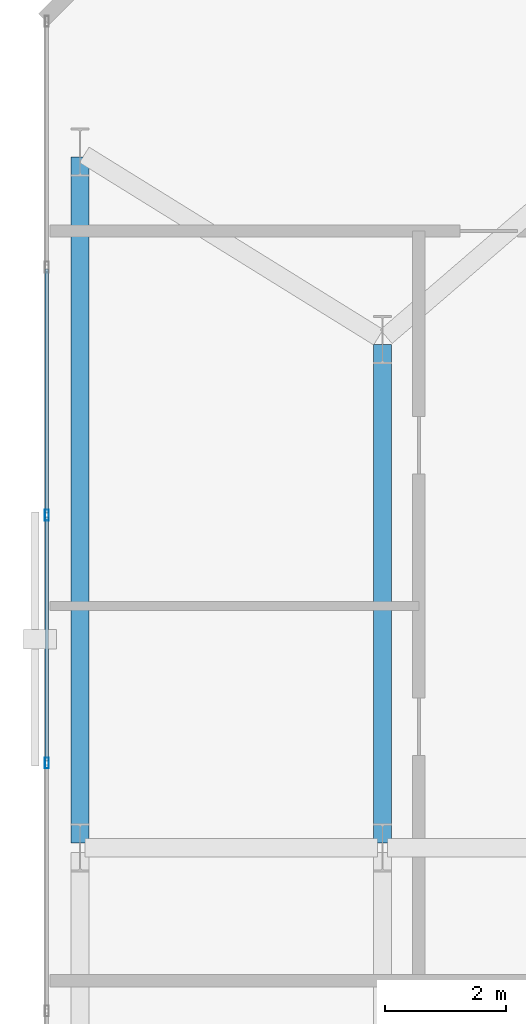
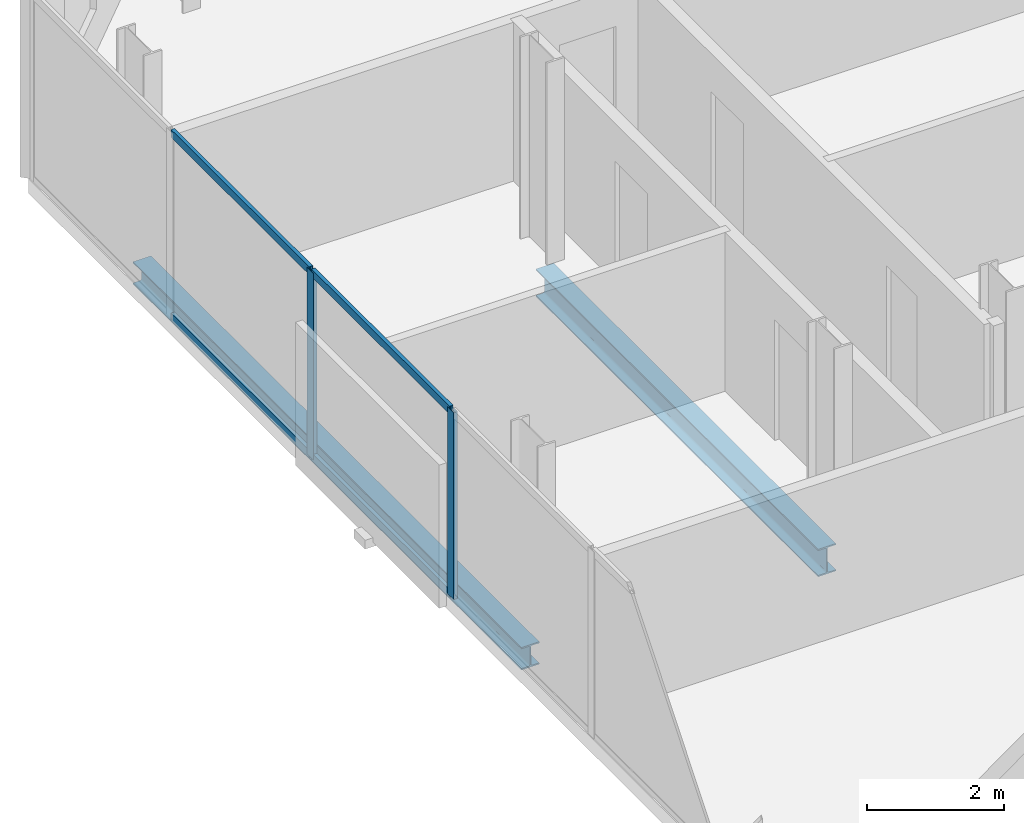
# One storey, part 17 of 32: 6 members, 2 beams, 1 element without a shape of its own.
"""IFC4 building model written with IfcOpenShell, lengths in metres."""

from ifc_helpers import new_model, si_unit, direction, frame, origin, origin_2d, place, context, subcontext, project, spatial, hollow_rectangle, i_section, extrude, material, layer, layer_set, material_profile, profile_set, type_object, element, aggregate, save


model = new_model("IFC4")

# Units and contexts
model_context = context("Model", 3, precision=1e-05, world=origin(), true_north=direction((0.0, 1.0)))
body_context = subcontext(model_context, "Body", "Model", "MODEL_VIEW")
ifc_project = project(units=[si_unit("LENGTHUNIT", "METRE"), si_unit("AREAUNIT", "SQUARE_METRE"), si_unit("VOLUMEUNIT", "CUBIC_METRE"), si_unit("PLANEANGLEUNIT", "RADIAN"), si_unit("MASSUNIT", "GRAM", prefix="KILO")], contexts=[model_context])

# Site, building, storey
site_placement = place(None, origin())
site = spatial("IfcSite", under=ifc_project, at=site_placement, CompositionType="ELEMENT")
building_placement = place(site_placement, origin())
building = spatial("IfcBuilding", under=site, at=building_placement, Name="Catumbela Crestline Tower", CompositionType="ELEMENT")
storey_placement = place(building_placement, frame((0.0, 0.0, 69.0)))
storey = spatial("IfcBuildingStorey", under=building, at=storey_placement, Name="L17", CompositionType="ELEMENT", Elevation=69.0)

# Beam
ifc_material_1 = material(Name="Structural steel S355J2", Category="steel")
ifc_material_profile_1 = material_profile(ifc_material_1, i_section(OverallWidth=0.3, OverallDepth=0.49, WebThickness=0.012, FlangeThickness=0.023, FilletRadius=0.027, at=origin_2d()), Name="HEA 500")
ifc_profile_set_1 = profile_set([ifc_material_profile_1], Name="Structural steel S355J2")
beam_type_1 = type_object("IfcBeamType", Name="BG-HEA500", PredefinedType="BEAM", material=ifc_profile_set_1)
beam_1_placement = place(storey_placement, frame((5.6, 30.88, -0.505), z_axis=(0.0, 1.0, 0.0), x_axis=(-1.0, 0.0, 0.0)))
element("IfcBeam", 1, at=beam_1_placement, inside=storey, type_object=beam_type_1, Name="L17 Beam BM-L17-SN28", PredefinedType="BEAM", context=body_context, shape_type="SweptSolid", body=[
    extrude(i_section(OverallWidth=0.3, OverallDepth=0.49, WebThickness=0.012, FlangeThickness=0.023, FilletRadius=0.027, at=origin_2d()), origin(), (0.0, 0.0, 1.0), 8.24),
])

# Curtain wall, members
ifc_material_2 = material(Name="Aluminium alloy AW-6060-T66", Category="aluminium")
ifc_layer = layer(ifc_material_2, 0.18, Name="Aluminium alloy AW-6060-T66")
ifc_layer_set = layer_set([ifc_layer], Name="Aluminium alloy AW-6060-T66")
curtain_wall_type = type_object("IfcCurtainWallType", Name="CWU-Z1", PredefinedType="USERDEFINED", material=ifc_layer_set)
curtain_wall_placement = place(storey_placement, origin())
curtain_wall = element("IfcCurtainWall", 2, at=curtain_wall_placement, inside=storey, type_object=curtain_wall_type, Name="L17 Unitised Curtain Wall CW-L17-E9S1", ObjectType="UNITISED", PredefinedType="USERDEFINED")
ifc_material_profile_2 = material_profile(ifc_material_2, hollow_rectangle(XDim=0.065, YDim=0.18, WallThickness=0.004, at=origin_2d()), Name="ALU 180x65x4")
ifc_profile_set_2 = profile_set([ifc_material_profile_2], Name="Aluminium alloy AW-6060-T66")
member_type_1 = type_object("IfcMemberType", Name="MUL-180X65", PredefinedType="MULLION", material=ifc_profile_set_2)
member_1_placement = place(storey_placement, frame((0.05, 36.3, 0.0), z_axis=(0.0, 0.0, 1.0), x_axis=(1.0, 0.0, 0.0)))
member_1 = element("IfcMember", 3, at=member_1_placement, type_object=member_type_1, Name="CWU-Z1 mullion 3", PredefinedType="MULLION", context=body_context, shape_type="SweptSolid", body=[
    extrude(hollow_rectangle(XDim=0.065, YDim=0.18, WallThickness=0.004, at=origin_2d()), origin(), (0.0, 0.0, 1.0), 3.33),
])
member_2_placement = place(storey_placement, frame((0.05, 32.2, 0.0), z_axis=(0.0, 0.0, 1.0), x_axis=(1.0, 0.0, 0.0)))
member_2 = element("IfcMember", 4, at=member_2_placement, type_object=member_type_1, Name="CWU-Z1 mullion 4", PredefinedType="MULLION", context=body_context, shape_type="SweptSolid", body=[
    extrude(hollow_rectangle(XDim=0.065, YDim=0.18, WallThickness=0.004, at=origin_2d()), origin(), (0.0, 0.0, 1.0), 3.33),
])

# Beam
ifc_material_profile_3 = material_profile(ifc_material_1, i_section(OverallWidth=0.3, OverallDepth=0.4, WebThickness=0.0135, FlangeThickness=0.024, FilletRadius=0.027, at=origin_2d()), Name="HEB 400")
ifc_profile_set_3 = profile_set([ifc_material_profile_3], Name="Structural steel S355J2")
beam_type_2 = type_object("IfcBeamType", Name="BS-HEB400", PredefinedType="SPANDREL", material=ifc_profile_set_3)
beam_2_placement = place(storey_placement, frame((0.6, 30.88, -0.46), z_axis=(0.0, 1.0, 0.0), x_axis=(-1.0, 0.0, 0.0)))
element("IfcBeam", 5, at=beam_2_placement, inside=storey, type_object=beam_type_2, Name="L17 Spandrel SP-L17-SN26", PredefinedType="SPANDREL", context=body_context, shape_type="SweptSolid", body=[
    extrude(i_section(OverallWidth=0.3, OverallDepth=0.4, WebThickness=0.0135, FlangeThickness=0.024, FilletRadius=0.027, at=origin_2d()), origin(), (0.0, 0.0, 1.0), 11.34),
])

# Member
ifc_material_profile_4 = material_profile(ifc_material_2, hollow_rectangle(XDim=0.06, YDim=0.14, WallThickness=0.004, at=origin_2d()), Name="ALU 140x60x4")
ifc_profile_set_4 = profile_set([ifc_material_profile_4], Name="Aluminium alloy AW-6060-T66")
member_type_2 = type_object("IfcMemberType", Name="TRN-140X60", PredefinedType="USERDEFINED", material=ifc_profile_set_4)
member_3_placement = place(storey_placement, frame((0.05, 40.3675, 0.03), z_axis=(0.0, -1.0, 0.0), x_axis=(1.0, 0.0, 0.0)))
member_3 = element("IfcMember", 6, at=member_3_placement, type_object=member_type_2, Name="CWU-Z1 transom 2.1", ObjectType="TRANSOM", PredefinedType="USERDEFINED", context=body_context, shape_type="SweptSolid", body=[
    extrude(hollow_rectangle(XDim=0.06, YDim=0.14, WallThickness=0.004, at=origin_2d()), origin(), (0.0, 0.0, 1.0), 4.035),
])

member_4_placement = place(storey_placement, frame((0.05, 40.3675, 3.3), z_axis=(0.0, -1.0, 0.0), x_axis=(1.0, 0.0, 0.0)))
member_4 = element("IfcMember", 7, at=member_4_placement, type_object=member_type_2, Name="CWU-Z1 transom 2.2", ObjectType="TRANSOM", PredefinedType="USERDEFINED", context=body_context, shape_type="SweptSolid", body=[
    extrude(hollow_rectangle(XDim=0.06, YDim=0.14, WallThickness=0.004, at=origin_2d()), origin(), (0.0, 0.0, 1.0), 4.035),
])

member_5_placement = place(storey_placement, frame((0.05, 36.2675, 0.03), z_axis=(0.0, -1.0, 0.0), x_axis=(1.0, 0.0, 0.0)))
member_5 = element("IfcMember", 8, at=member_5_placement, type_object=member_type_2, Name="CWU-Z1 transom 3.1", ObjectType="TRANSOM", PredefinedType="USERDEFINED", context=body_context, shape_type="SweptSolid", body=[
    extrude(hollow_rectangle(XDim=0.06, YDim=0.14, WallThickness=0.004, at=origin_2d()), origin(), (0.0, 0.0, 1.0), 4.035),
])

member_6_placement = place(storey_placement, frame((0.05, 36.2675, 3.3), z_axis=(0.0, -1.0, 0.0), x_axis=(1.0, 0.0, 0.0)))
member_6 = element("IfcMember", 9, at=member_6_placement, type_object=member_type_2, Name="CWU-Z1 transom 3.2", ObjectType="TRANSOM", PredefinedType="USERDEFINED", context=body_context, shape_type="SweptSolid", body=[
    extrude(hollow_rectangle(XDim=0.06, YDim=0.14, WallThickness=0.004, at=origin_2d()), origin(), (0.0, 0.0, 1.0), 4.035),
])

aggregate(curtain_wall, [member_1, member_2, member_3, member_4, member_5, member_6])

save(model, "model.ifc")
